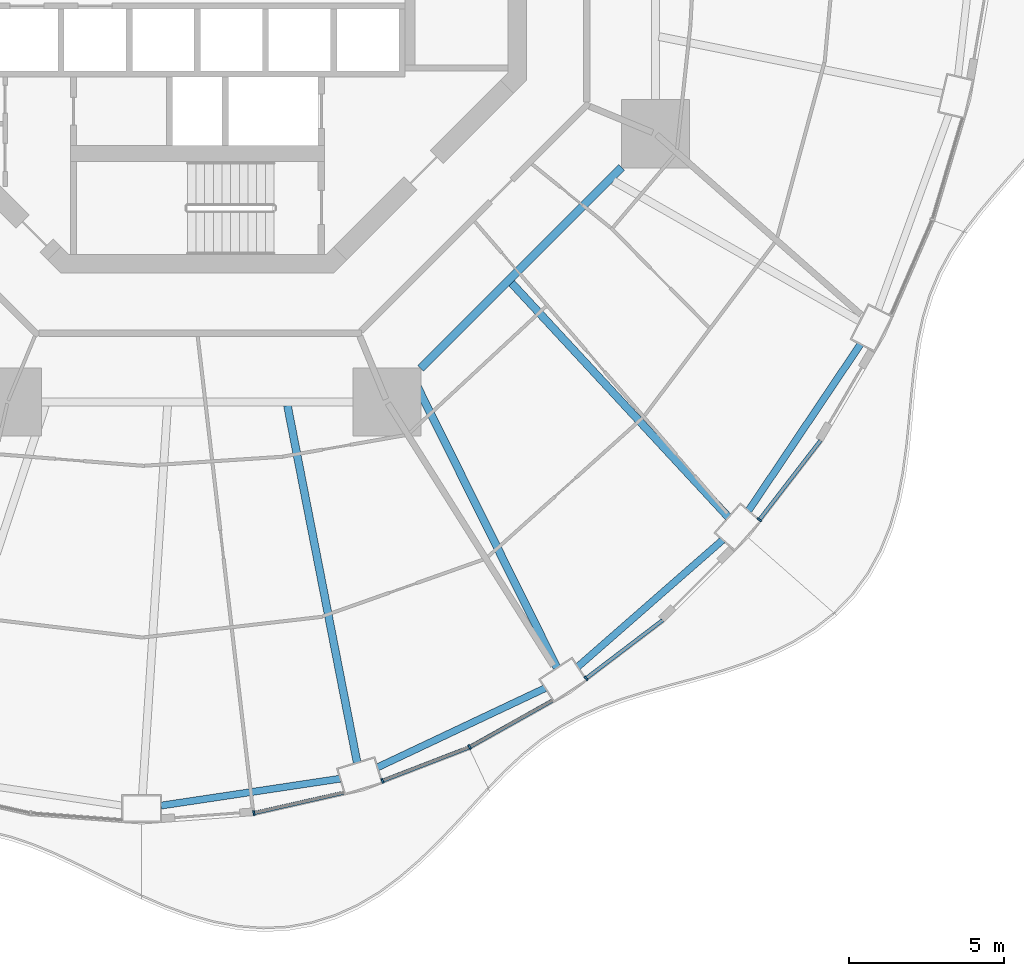
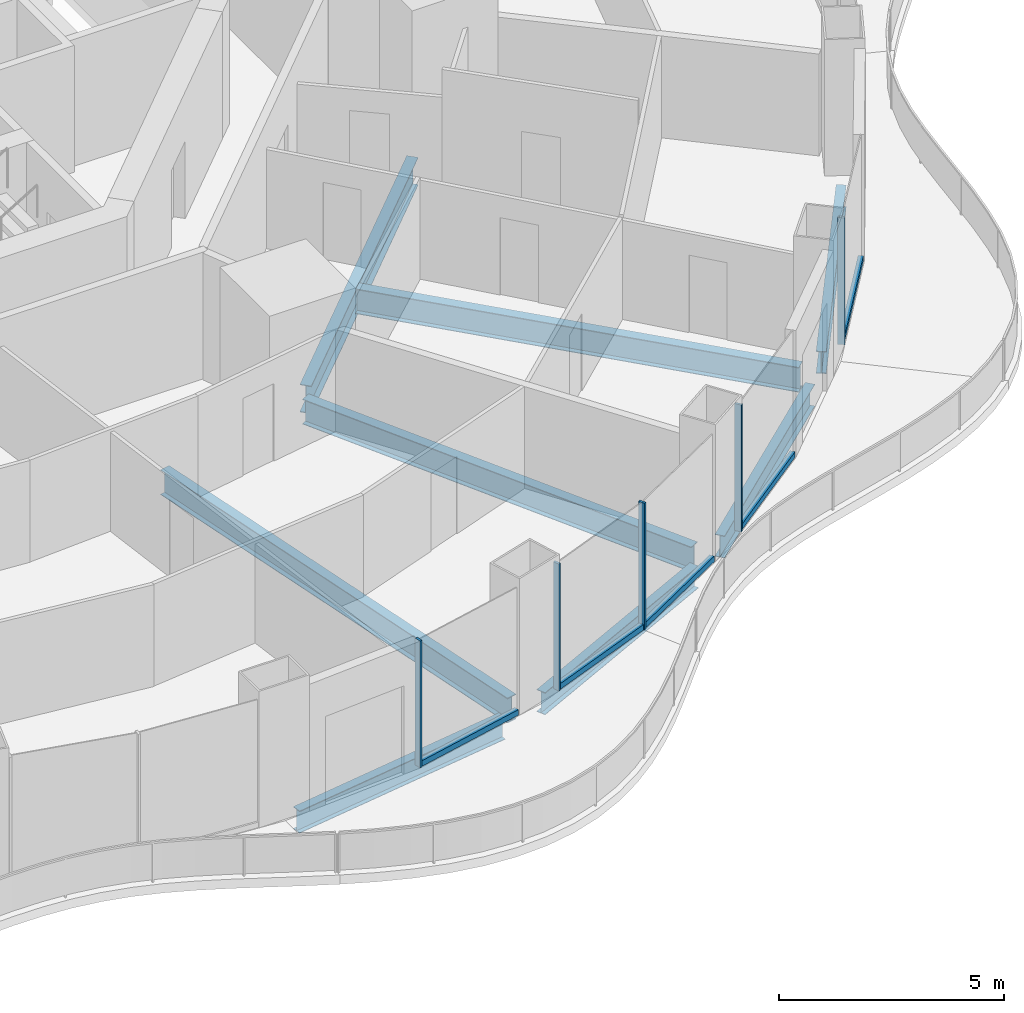
# One storey, part 5 of 22: 10 members, 8 beams, 5 elements without a shape of their own.
"""IFC4 building model written with IfcOpenShell, lengths in metres."""

from ifc_helpers import new_model, si_unit, direction, frame, origin, origin_2d, place, context, subcontext, project, spatial, rectangle, i_section, extrude, material, layer, layer_set, material_profile, profile_set, type_object, element, aggregate, save


model = new_model("IFC4")

# Units and contexts
model_context = context("Model", 3, precision=1e-05, world=origin(), true_north=direction((0.0, 1.0)))
body_context = subcontext(model_context, "Body", "Model", "MODEL_VIEW")
ifc_project = project(units=[si_unit("LENGTHUNIT", "METRE"), si_unit("AREAUNIT", "SQUARE_METRE"), si_unit("VOLUMEUNIT", "CUBIC_METRE"), si_unit("PLANEANGLEUNIT", "RADIAN"), si_unit("MASSUNIT", "GRAM", prefix="KILO")], contexts=[model_context])

# Site, building, storey
site_placement = place(None, origin())
site = spatial("IfcSite", under=ifc_project, at=site_placement, CompositionType="ELEMENT")
building_placement = place(site_placement, origin())
building = spatial("IfcBuilding", under=site, at=building_placement, Name="Nagisa Residences", CompositionType="ELEMENT")
storey_placement = place(building_placement, frame((0.0, 0.0, 84.39990234375)))
storey = spatial("IfcBuildingStorey", under=building, at=storey_placement, Name="L20", CompositionType="ELEMENT", Elevation=84.39990234375)

# Curtain wall, member
ifc_material_1 = material(Name="Concrete-coloured aluminium curtain wall system", Category="concrete")
ifc_layer = layer(ifc_material_1, 0.159912109375)
ifc_layer_set = layer_set([ifc_layer], Name="CW1 CURTAIN WALL")
curtain_wall_type = type_object("IfcCurtainWallType", Name="CW1 CURTAIN WALL", PredefinedType="NOTDEFINED", material=ifc_layer_set)
curtain_wall_1_placement = place(storey_placement, origin())
curtain_wall_1 = element("IfcCurtainWall", 1, at=curtain_wall_1_placement, inside=storey, type_object=curtain_wall_type, Name="cw:CW1:L20:37", PredefinedType="NOTDEFINED")
ifc_material_2 = material(Name="Concrete-coloured aluminium", Category="concrete")
ifc_material_profile_1 = material_profile(ifc_material_2, rectangle(XDim=0.159912109375, YDim=0.06005859375, at=origin_2d()), Name="CW1 MULLION 160x60")
ifc_profile_set_1 = profile_set([ifc_material_profile_1], Name="Concrete-coloured aluminium")
member_type_1 = type_object("IfcMemberType", Name="CW1 MULLION 160x60", PredefinedType="MULLION", material=ifc_profile_set_1)
member_1_placement = place(storey_placement, frame((1.826416015625, -28.04296875, 0.0), z_axis=(0.0, 0.0, 1.0), x_axis=(-0.2207639201, 0.975327274089, 0.0)))
member_1 = element("IfcMember", 2, at=member_1_placement, type_object=member_type_1, Name="CW1 mullion", PredefinedType="MULLION", context=body_context, shape_type="SweptSolid", body=[
    extrude(rectangle(XDim=0.159912109375, YDim=0.06005859375, at=origin_2d()), origin(), (0.0, 0.0, 1.0), 3.440185546875),
])

curtain_wall_2_placement = place(storey_placement, origin())
curtain_wall_2 = element("IfcCurtainWall", 3, at=curtain_wall_2_placement, inside=storey, type_object=curtain_wall_type, Name="cw:CW1:L20:38", PredefinedType="NOTDEFINED")
member_2_placement = place(storey_placement, frame((5.973388671875, -27.00390625, 0.0), z_axis=(0.0, 0.0, 1.0), x_axis=(-0.360327770268, 0.932825759707, 0.0)))
member_2 = element("IfcMember", 4, at=member_2_placement, type_object=member_type_1, Name="CW1 mullion", PredefinedType="MULLION", context=body_context, shape_type="SweptSolid", body=[
    extrude(rectangle(XDim=0.159912109375, YDim=0.06005859375, at=origin_2d()), origin(), (0.0, 0.0, 1.0), 3.440185546875),
])

curtain_wall_3_placement = place(storey_placement, origin())
curtain_wall_3 = element("IfcCurtainWall", 5, at=curtain_wall_3_placement, inside=storey, type_object=curtain_wall_type, Name="cw:CW1:L20:39", PredefinedType="NOTDEFINED")
member_3_placement = place(storey_placement, frame((8.785400390625, -25.913818359375, 0.0), z_axis=(0.0, 0.0, 1.0), x_axis=(-0.489376918501, 0.872072377523, 0.0)))
member_3 = element("IfcMember", 6, at=member_3_placement, type_object=member_type_1, Name="CW1 mullion", PredefinedType="MULLION", context=body_context, shape_type="SweptSolid", body=[
    extrude(rectangle(XDim=0.159912109375, YDim=0.06005859375, at=origin_2d()), origin(), (0.0, 0.0, 1.0), 3.440185546875),
])

curtain_wall_4_placement = place(storey_placement, origin())
curtain_wall_4 = element("IfcCurtainWall", 7, at=curtain_wall_4_placement, inside=storey, type_object=curtain_wall_type, Name="cw:CW1:L20:40", PredefinedType="NOTDEFINED")
member_4_placement = place(storey_placement, frame((12.540283203125, -23.699951171875, 0.0), z_axis=(0.0, 0.0, 1.0), x_axis=(-0.605255421737, 0.79603132756, 0.0)))
member_4 = element("IfcMember", 8, at=member_4_placement, type_object=member_type_1, Name="CW1 mullion", PredefinedType="MULLION", context=body_context, shape_type="SweptSolid", body=[
    extrude(rectangle(XDim=0.159912109375, YDim=0.06005859375, at=origin_2d()), origin(), (0.0, 0.0, 1.0), 3.440185546875),
])

curtain_wall_5_placement = place(storey_placement, origin())
curtain_wall_5 = element("IfcCurtainWall", 9, at=curtain_wall_5_placement, inside=storey, type_object=curtain_wall_type, Name="cw:CW1:L20:42", PredefinedType="NOTDEFINED")
member_5_placement = place(storey_placement, frame((18.135009765625, -18.579345703125, 0.0), z_axis=(0.0, 0.0, 1.0), x_axis=(-0.792070340816, 0.610429828235, 0.0)))
member_5 = element("IfcMember", 10, at=member_5_placement, type_object=member_type_1, Name="CW1 mullion", PredefinedType="MULLION", context=body_context, shape_type="SweptSolid", body=[
    extrude(rectangle(XDim=0.159912109375, YDim=0.06005859375, at=origin_2d()), origin(), (0.0, 0.0, 1.0), 3.440185546875),
])

# Member
ifc_material_3 = material(Name="Concrete-coloured aluminium", Category="concrete")
ifc_material_profile_2 = material_profile(ifc_material_3, rectangle(XDim=0.1201171875, YDim=0.14990234375, at=origin_2d()), Name="CW1 TRANSOM 120x150")
ifc_profile_set_2 = profile_set([ifc_material_profile_2], Name="Concrete-coloured aluminium")
member_type_2 = type_object("IfcMemberType", Name="CW1 TRANSOM 120x150", PredefinedType="USERDEFINED", material=ifc_profile_set_2)
member_6_placement = place(storey_placement, frame((1.79736328125, -28.049560546875, 0.0751953125), z_axis=(0.975331196789, 0.220746589036, 0.0), x_axis=(-0.220746589036, 0.975331196789, 0.0)))
member_6 = element("IfcMember", 11, at=member_6_placement, type_object=member_type_2, Name="CW1 transom", ObjectType="TRANSOM", PredefinedType="USERDEFINED", context=body_context, shape_type="SweptSolid", body=[
    extrude(rectangle(XDim=0.1201171875, YDim=0.14990234375, at=origin_2d()), origin(), (0.0, 0.0, 1.0), 2.99267578125),
])

aggregate(curtain_wall_1, [member_1, member_6])

member_7_placement = place(storey_placement, frame((5.945556640625, -27.0146484375, 0.0751953125), z_axis=(0.932827091302, 0.360324322982, 0.0), x_axis=(-0.360324322982, 0.932827091302, 0.0)))
member_7 = element("IfcMember", 12, at=member_7_placement, type_object=member_type_2, Name="CW1 transom", ObjectType="TRANSOM", PredefinedType="USERDEFINED", context=body_context, shape_type="SweptSolid", body=[
    extrude(rectangle(XDim=0.1201171875, YDim=0.14990234375, at=origin_2d()), origin(), (0.0, 0.0, 1.0), 3.02734375),
])

aggregate(curtain_wall_2, [member_2, member_7])

member_8_placement = place(storey_placement, frame((8.75927734375, -25.9287109375, 0.0751953125), z_axis=(0.872037280335, 0.489439456631, 0.0), x_axis=(-0.489439456631, 0.872037280335, 0.0)))
member_8 = element("IfcMember", 13, at=member_8_placement, type_object=member_type_2, Name="CW1 transom", ObjectType="TRANSOM", PredefinedType="USERDEFINED", context=body_context, shape_type="SweptSolid", body=[
    extrude(rectangle(XDim=0.1201171875, YDim=0.14990234375, at=origin_2d()), origin(), (0.0, 0.0, 1.0), 3.07568359375),
])

aggregate(curtain_wall_3, [member_3, member_8])

member_9_placement = place(storey_placement, frame((12.5166015625, -23.718017578125, 0.0751953125), z_axis=(0.796000041424, 0.605296567025, 0.0), x_axis=(-0.605296567025, 0.796000041424, 0.0)))
member_9 = element("IfcMember", 14, at=member_9_placement, type_object=member_type_2, Name="CW1 transom", ObjectType="TRANSOM", PredefinedType="USERDEFINED", context=body_context, shape_type="SweptSolid", body=[
    extrude(rectangle(XDim=0.1201171875, YDim=0.14990234375, at=origin_2d()), origin(), (0.0, 0.0, 1.0), 3.134033203125),
])

aggregate(curtain_wall_4, [member_4, member_9])

member_10_placement = place(storey_placement, frame((18.11669921875, -18.60302734375, 0.0751953125), z_axis=(0.610458970322, 0.792047880847, 0.0), x_axis=(-0.792047880847, 0.610458970322, 0.0)))
member_10 = element("IfcMember", 15, at=member_10_placement, type_object=member_type_2, Name="CW1 transom", ObjectType="TRANSOM", PredefinedType="USERDEFINED", context=body_context, shape_type="SweptSolid", body=[
    extrude(rectangle(XDim=0.1201171875, YDim=0.14990234375, at=origin_2d()), origin(), (0.0, 0.0, 1.0), 3.262939453125),
])

aggregate(curtain_wall_5, [member_5, member_10])

# Beams
ifc_material_4 = material(Name="Steel ASTM A572 Gr 50", Category="steel")
ifc_material_profile_3 = material_profile(ifc_material_4, i_section(OverallWidth=0.264892578125, OverallDepth=0.7529296875, WebThickness=0.01318359375, FlangeThickness=0.01708984375, at=origin_2d()), Name="W760x147")
ifc_profile_set_3 = profile_set([ifc_material_profile_3], Name="Steel ASTM A572 Gr 50")
beam_type_1 = type_object("IfcBeamType", Name="Inner ring beam W760x147", PredefinedType="BEAM", material=ifc_profile_set_3)
beam_1_placement = place(storey_placement, frame((7.208740234375, -13.6962890625, -0.636474609375), z_axis=(0.707106781187, 0.707106781187, 0.0), x_axis=(-0.707106781187, 0.707106781187, 0.0)))
element("IfcBeam", 16, at=beam_1_placement, inside=storey, type_object=beam_type_1, Name="beam:L20:ib7", PredefinedType="BEAM", context=body_context, shape_type="SweptSolid", body=[
    extrude(i_section(OverallWidth=0.264892578125, OverallDepth=0.7529296875, WebThickness=0.01318359375, FlangeThickness=0.01708984375, at=origin_2d()), origin(), (0.0, 0.0, 1.0), 9.1748046875),
])
ifc_material_5 = material(Name="Steel ASTM A572 Gr 50", Category="steel")
ifc_material_profile_4 = material_profile(ifc_material_5, i_section(OverallWidth=0.22802734375, OverallDepth=0.60302734375, WebThickness=0.010498046875, FlangeThickness=0.014892578125, at=origin_2d()), Name="W610x101")
ifc_profile_set_4 = profile_set([ifc_material_profile_4], Name="Steel ASTM A572 Gr 50")
beam_type_2 = type_object("IfcBeamType", Name="Perimeter ring beam W610x101", PredefinedType="BEAM", material=ifc_profile_set_4)
beam_2_placement = place(storey_placement, frame((-1.169677734375, -27.802734375, -0.5615234375), z_axis=(0.988913048607, 0.148495731568, 0.0), x_axis=(-0.148495731568, 0.988913048607, 0.0)))
element("IfcBeam", 17, at=beam_2_placement, inside=storey, type_object=beam_type_2, Name="beam:L20:pb19", PredefinedType="BEAM", context=body_context, shape_type="SweptSolid", body=[
    extrude(i_section(OverallWidth=0.22802734375, OverallDepth=0.60302734375, WebThickness=0.010498046875, FlangeThickness=0.014892578125, at=origin_2d()), origin(), (0.0, 0.0, 1.0), 5.843017578125),
])
beam_3_placement = place(storey_placement, frame((5.814453125, -26.568359375, -0.5615234375), z_axis=(0.904196975776, 0.427115709144, 0.0), x_axis=(-0.427115709144, 0.904196975776, 0.0)))
element("IfcBeam", 18, at=beam_3_placement, inside=storey, type_object=beam_type_2, Name="beam:L20:pb20", PredefinedType="BEAM", context=body_context, shape_type="SweptSolid", body=[
    extrude(i_section(OverallWidth=0.22802734375, OverallDepth=0.60302734375, WebThickness=0.010498046875, FlangeThickness=0.014892578125, at=origin_2d()), origin(), (0.0, 0.0, 1.0), 5.980712890625),
])
beam_4_placement = place(storey_placement, frame((12.2763671875, -23.322998046875, -0.5615234375), z_axis=(0.752525569707, 0.658563031863, 0.0), x_axis=(-0.658563031863, 0.752525569707, 0.0)))
element("IfcBeam", 19, at=beam_4_placement, inside=storey, type_object=beam_type_2, Name="beam:L20:pb21", PredefinedType="BEAM", context=body_context, shape_type="SweptSolid", body=[
    extrude(i_section(OverallWidth=0.22802734375, OverallDepth=0.60302734375, WebThickness=0.010498046875, FlangeThickness=0.014892578125, at=origin_2d()), origin(), (0.0, 0.0, 1.0), 6.21240234375),
])
beam_5_placement = place(storey_placement, frame((17.784423828125, -18.2861328125, -0.5615234375), z_axis=(0.558229575935, 0.829686531499, 0.0), x_axis=(-0.829686531499, 0.558229575935, 0.0)))
element("IfcBeam", 20, at=beam_5_placement, inside=storey, type_object=beam_type_2, Name="beam:L20:pb22", PredefinedType="BEAM", context=body_context, shape_type="SweptSolid", body=[
    extrude(i_section(OverallWidth=0.22802734375, OverallDepth=0.60302734375, WebThickness=0.010498046875, FlangeThickness=0.014892578125, at=origin_2d()), origin(), (0.0, 0.0, 1.0), 6.471923828125),
])
ifc_material_6 = material(Name="Steel ASTM A572 Gr 50", Category="steel")
ifc_material_profile_5 = material_profile(ifc_material_6, i_section(OverallWidth=0.2529296875, OverallDepth=0.677978515625, WebThickness=0.01171875, FlangeThickness=0.016357421875, at=origin_2d()), Name="W690x125")
ifc_profile_set_5 = profile_set([ifc_material_profile_5], Name="Steel ASTM A572 Gr 50")
beam_type_3 = type_object("IfcBeamType", Name="Radial beam W690x125", PredefinedType="BEAM", material=ifc_profile_set_5)
beam_6_placement = place(storey_placement, frame((5.15576171875, -26.416015625, -0.598876953125), z_axis=(-0.191554340045, 0.981482009417, 0.0), x_axis=(-0.981482009417, -0.191554340045, 0.0)))
element("IfcBeam", 21, at=beam_6_placement, inside=storey, type_object=beam_type_3, Name="beam:L20:rb20", PredefinedType="BEAM", context=body_context, shape_type="SweptSolid", body=[
    extrude(i_section(OverallWidth=0.2529296875, OverallDepth=0.677978515625, WebThickness=0.01171875, FlangeThickness=0.016357421875, at=origin_2d()), origin(), (0.0, 0.0, 1.0), 11.73828125),
])
beam_7_placement = place(storey_placement, frame((11.604736328125, -23.35400390625, -0.598876953125), z_axis=(-0.444988448889, 0.895536308787, 0.0), x_axis=(-0.895536308787, -0.444988448889, 0.0)))
element("IfcBeam", 22, at=beam_7_placement, inside=storey, type_object=beam_type_3, Name="beam:L20:rb21", PredefinedType="BEAM", context=body_context, shape_type="SweptSolid", body=[
    extrude(i_section(OverallWidth=0.2529296875, OverallDepth=0.677978515625, WebThickness=0.01171875, FlangeThickness=0.016357421875, at=origin_2d()), origin(), (0.0, 0.0, 1.0), 10.364013671875),
])
beam_8_placement = place(storey_placement, frame((17.135986328125, -18.49609375, -0.598876953125), z_axis=(-0.67961674612, 0.733567364591, 0.0), x_axis=(-0.733567364591, -0.67961674612, 0.0)))
element("IfcBeam", 23, at=beam_8_placement, inside=storey, type_object=beam_type_3, Name="beam:L20:rb22", PredefinedType="BEAM", context=body_context, shape_type="SweptSolid", body=[
    extrude(i_section(OverallWidth=0.2529296875, OverallDepth=0.677978515625, WebThickness=0.01171875, FlangeThickness=0.016357421875, at=origin_2d()), origin(), (0.0, 0.0, 1.0), 10.30859375),
])

save(model, "model.ifc")
